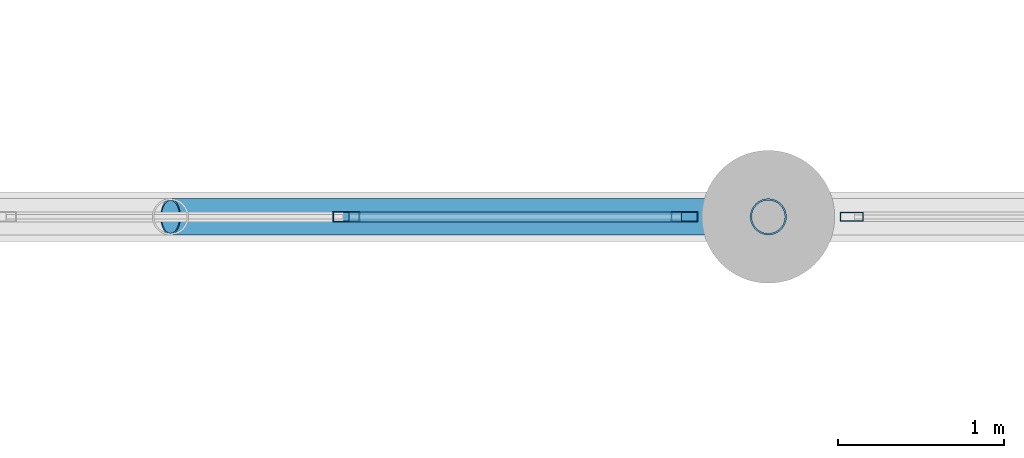
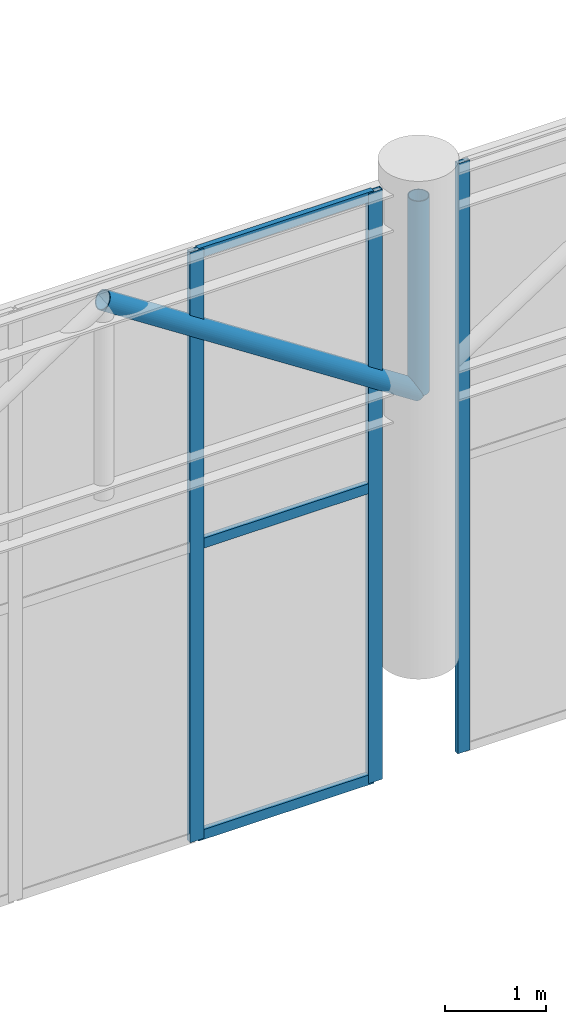
# One storey, part 105 of 153: 8 members, 2 elements without a shape of their own.
"""IFC4 building model written with IfcOpenShell, lengths in metres."""

from ifc_helpers import new_model, si_unit, direction, frame, origin, origin_2d, place, context, subcontext, project, spatial, hollow_rectangle, hollow_circle, extrude, material, material_profile, profile_set, type_object, element, aggregate, save


model = new_model("IFC4")

# Units and contexts
model_context = context("Model", 3, precision=1e-05, world=origin(), true_north=direction((0.0, 1.0)))
body_context = subcontext(model_context, "Body", "Model", "MODEL_VIEW")
ifc_project = project(units=[si_unit("LENGTHUNIT", "METRE"), si_unit("AREAUNIT", "SQUARE_METRE"), si_unit("VOLUMEUNIT", "CUBIC_METRE"), si_unit("PLANEANGLEUNIT", "RADIAN"), si_unit("MASSUNIT", "GRAM", prefix="KILO")], contexts=[model_context])

# Site, building, storey
site_placement = place(None, origin())
site = spatial("IfcSite", under=ifc_project, at=site_placement, CompositionType="ELEMENT")
building_placement = place(site_placement, origin())
building = spatial("IfcBuilding", under=site, at=building_placement, Name="Qandorah Velis Arena", CompositionType="ELEMENT")
storey_placement = place(building_placement, frame((0.0, 0.0, 5.39990234375)))
storey = spatial("IfcBuildingStorey", under=building, at=storey_placement, Name="L01", CompositionType="ELEMENT", Elevation=5.39990234375)

# Curtain wall, member
ifc_material_1 = material(Name="Solar-control low-E double glazing", Category="glass")
curtain_wall_type_1 = type_object("IfcCurtainWallType", Name="ARC-CW-SYS20", PredefinedType="USERDEFINED", material=ifc_material_1)
curtain_wall_1_placement = place(storey_placement, origin())
curtain_wall_1 = element("IfcCurtainWall", 1, at=curtain_wall_1_placement, inside=storey, type_object=curtain_wall_type_1, Name="Unitised curtain wall L01-164", ObjectType="UNITISED CURTAIN WALL", PredefinedType="USERDEFINED")
ifc_material_2 = material(Name="Champagne-bronze anodized aluminium 6063-T6", Category="aluminium")
ifc_material_profile_1 = material_profile(ifc_material_2, hollow_rectangle(XDim=0.054931640625, YDim=0.139892578125, WallThickness=0.0029296875, at=origin_2d()), Name="ALU MULLION 55x140")
ifc_profile_set_1 = profile_set([ifc_material_profile_1], Name="Champagne-bronze anodized aluminium 6063-T6")
member_type_1 = type_object("IfcMemberType", Name="ARC-CWM-140", PredefinedType="MULLION", material=ifc_profile_set_1)
member_1_placement = place(storey_placement, frame((158.902587890625, 122.39990234375, -1.31494140625), z_axis=(0.0, 0.0, 1.0), x_axis=(0.0, 1.0, 0.0)))
member_1 = element("IfcMember", 2, at=member_1_placement, type_object=member_type_1, Name="CW20 mullion 1", PredefinedType="MULLION", context=body_context, shape_type="SweptSolid", body=[
    extrude(hollow_rectangle(XDim=0.054931640625, YDim=0.139892578125, WallThickness=0.0029296875, at=origin_2d()), origin(), (0.0, 0.0, 1.0), 7.110107421875),
])
aggregate(curtain_wall_1, [member_1])

# Curtain wall, members
curtain_wall_type_2 = type_object("IfcCurtainWallType", Name="ARC-CW-SYS19", PredefinedType="USERDEFINED", material=ifc_material_1)
curtain_wall_2_placement = place(storey_placement, origin())
curtain_wall_2 = element("IfcCurtainWall", 3, at=curtain_wall_2_placement, inside=storey, type_object=curtain_wall_type_2, Name="Unitised curtain wall L01-163", ObjectType="UNITISED CURTAIN WALL", PredefinedType="USERDEFINED")
ifc_material_profile_2 = material_profile(ifc_material_2, hollow_rectangle(XDim=0.06005859375, YDim=0.159912109375, WallThickness=0.00341796875, at=origin_2d()), Name="ALU MULLION 60x160")
ifc_profile_set_2 = profile_set([ifc_material_profile_2], Name="Champagne-bronze anodized aluminium 6063-T6")
member_type_2 = type_object("IfcMemberType", Name="ARC-CWM-160", PredefinedType="MULLION", material=ifc_profile_set_2)
member_2_placement = place(storey_placement, frame((155.8583984375, 122.39990234375, -1.31494140625), z_axis=(0.0, 0.0, 1.0), x_axis=(0.0, 1.0, 0.0)))
member_2 = element("IfcMember", 4, at=member_2_placement, type_object=member_type_2, Name="CW19 mullion 3", PredefinedType="MULLION", context=body_context, shape_type="SweptSolid", body=[
    extrude(hollow_rectangle(XDim=0.06005859375, YDim=0.159912109375, WallThickness=0.00341796875, at=origin_2d()), origin(), (0.0, 0.0, 1.0), 7.110107421875),
])
member_3_placement = place(storey_placement, frame((157.89501953125, 122.39990234375, -1.31494140625), z_axis=(0.0, 0.0, 1.0), x_axis=(0.0, 1.0, 0.0)))
member_3 = element("IfcMember", 5, at=member_3_placement, type_object=member_type_2, Name="CW19 mullion 4", PredefinedType="MULLION", context=body_context, shape_type="SweptSolid", body=[
    extrude(hollow_rectangle(XDim=0.06005859375, YDim=0.159912109375, WallThickness=0.00341796875, at=origin_2d()), origin(), (0.0, 0.0, 1.0), 7.110107421875),
])
ifc_material_profile_3 = material_profile(ifc_material_2, hollow_rectangle(XDim=0.06005859375, YDim=0.1201171875, WallThickness=0.0029296875, at=origin_2d()), Name="ALU TRANSOM 60x120")
ifc_profile_set_3 = profile_set([ifc_material_profile_3], Name="Champagne-bronze anodized aluminium 6063-T6")
member_type_3 = type_object("IfcMemberType", Name="ARC-CWT-120", PredefinedType="USERDEFINED", material=ifc_profile_set_3)
member_4_placement = place(storey_placement, frame((155.876220703125, 122.39990234375, -1.27001953125), z_axis=(1.0, 0.0, 0.0), x_axis=(0.0, 1.0, 0.0)))
member_4 = element("IfcMember", 6, at=member_4_placement, type_object=member_type_3, Name="CW19 transom 3.1", ObjectType="TRANSOM", PredefinedType="USERDEFINED", context=body_context, shape_type="SweptSolid", body=[
    extrude(hollow_rectangle(XDim=0.06005859375, YDim=0.1201171875, WallThickness=0.0029296875, at=origin_2d()), origin(), (0.0, 0.0, 1.0), 2.000732421875),
])
member_5_placement = place(storey_placement, frame((155.876220703125, 122.39990234375, 2.239990234375), z_axis=(1.0, 0.0, 0.0), x_axis=(0.0, 1.0, 0.0)))
member_5 = element("IfcMember", 7, at=member_5_placement, type_object=member_type_3, Name="CW19 transom 3.2", ObjectType="TRANSOM", PredefinedType="USERDEFINED", context=body_context, shape_type="SweptSolid", body=[
    extrude(hollow_rectangle(XDim=0.06005859375, YDim=0.1201171875, WallThickness=0.0029296875, at=origin_2d()), origin(), (0.0, 0.0, 1.0), 2.000732421875),
])
member_6_placement = place(storey_placement, frame((155.876220703125, 122.39990234375, 5.75), z_axis=(1.0, 0.0, 0.0), x_axis=(0.0, 1.0, 0.0)))
member_6 = element("IfcMember", 8, at=member_6_placement, type_object=member_type_3, Name="CW19 transom 3.3", ObjectType="TRANSOM", PredefinedType="USERDEFINED", context=body_context, shape_type="SweptSolid", body=[
    extrude(hollow_rectangle(XDim=0.06005859375, YDim=0.1201171875, WallThickness=0.0029296875, at=origin_2d()), origin(), (0.0, 0.0, 1.0), 2.000732421875),
])
aggregate(curtain_wall_2, [member_2, member_3, member_4, member_5, member_6])

# Members
ifc_material_3 = material(Name="Steel S355", Category="steel")
ifc_material_profile_4 = material_profile(ifc_material_3, hollow_circle(Radius=0.109619140625, WallThickness=0.010009765625, at=origin_2d()), Name="CHS 219.1x10")
ifc_profile_set_4 = profile_set([ifc_material_profile_4], Name="Steel S355")
member_type_4 = type_object("IfcMemberType", Name="STR-SFD-CHS219X10", PredefinedType="STRUT", material=ifc_profile_set_4)
member_7_placement = place(storey_placement, frame((154.800048828125, 122.39990234375, 5.55517578125), z_axis=(0.837358571039, 0.0, -0.54665402542), x_axis=(0.0, 1.0, 0.0)))
element("IfcMember", 9, at=member_7_placement, inside=storey, type_object=member_type_4, Name="Practice court roof truss 5 web diagonal 10", PredefinedType="STRUT", context=body_context, shape_type="SweptSolid", body=[
    extrude(hollow_circle(Radius=0.109619140625, WallThickness=0.010009765625, at=origin_2d()), origin(), (0.0, 0.0, 1.0), 4.299072265625),
])
member_8_placement = place(storey_placement, frame((158.39990234375, 122.39990234375, 3.205078125), z_axis=(0.0, 0.0, 1.0), x_axis=(1.0, 0.0, 0.0)))
element("IfcMember", 10, at=member_8_placement, inside=storey, type_object=member_type_4, Name="Practice court roof truss 5 vertical 11", PredefinedType="STRUT", context=body_context, shape_type="SweptSolid", body=[
    extrude(hollow_circle(Radius=0.109619140625, WallThickness=0.010009765625, at=origin_2d()), origin(), (0.0, 0.0, 1.0), 2.35009765625),
])

save(model, "model.ifc")
